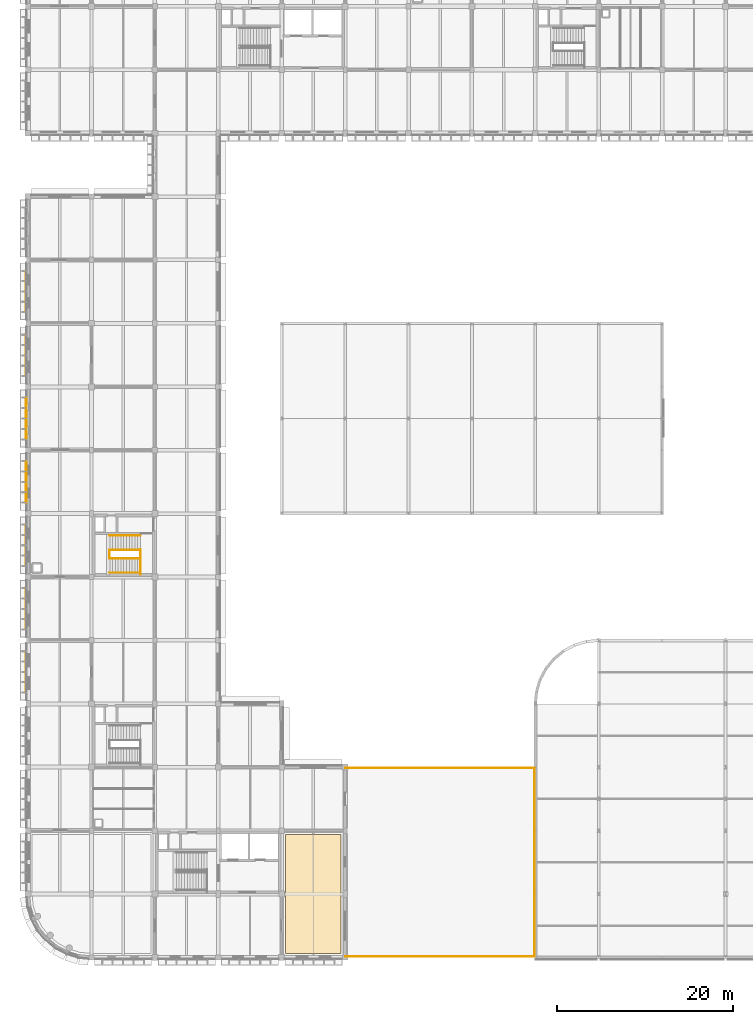
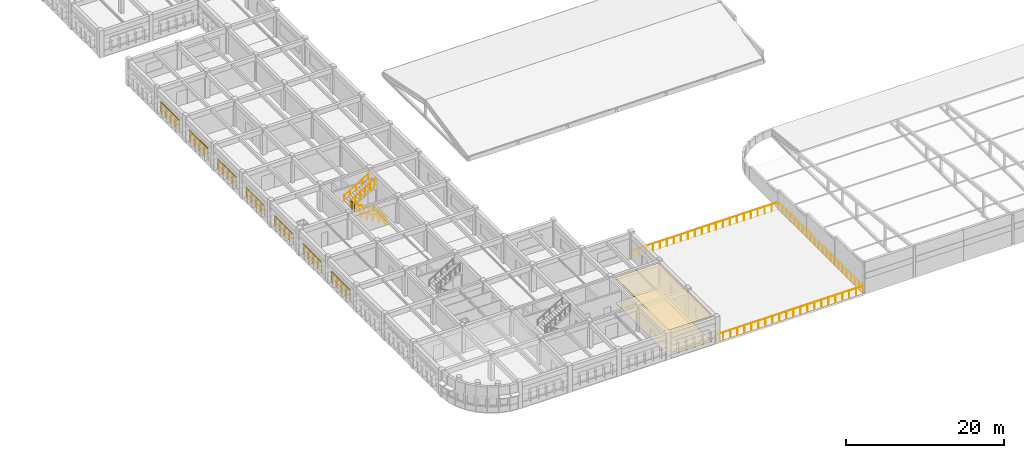
# One storey, part 98 of 103: 15 railings, 7 shading devices, 2 coverings.
"""IFC4 building model written with IfcOpenShell, lengths in metres."""

from ifc_helpers import new_model, si_unit, direction, frame, origin, origin_2d, place, context, subcontext, project, spatial, polyline, rectangle, circle, outline, extrude, material, layer, layer_set, type_object, element, save


model = new_model("IFC4")

# Units and contexts
model_context = context("Model", 3, precision=1e-05, world=origin(), true_north=direction((0.0, 1.0)))
body_context = subcontext(model_context, "Body", "Model", "MODEL_VIEW")
ifc_project = project(units=[si_unit("LENGTHUNIT", "METRE"), si_unit("AREAUNIT", "SQUARE_METRE"), si_unit("VOLUMEUNIT", "CUBIC_METRE"), si_unit("PLANEANGLEUNIT", "RADIAN"), si_unit("MASSUNIT", "GRAM", prefix="KILO")], contexts=[model_context])

# Site, building, storey
site_placement = place(None, origin())
site = spatial("IfcSite", under=ifc_project, at=site_placement, CompositionType="ELEMENT")
building_placement = place(site_placement, origin())
building = spatial("IfcBuilding", under=site, at=building_placement, Name="Thalmaran Polytechnic", CompositionType="ELEMENT")
storey_placement = place(building_placement, frame((0.0, 0.0, 14.39990234375)))
storey = spatial("IfcBuildingStorey", under=building, at=storey_placement, Name="L03", CompositionType="ELEMENT", Elevation=14.39990234375)

# Coverings
ifc_material_1 = material(Name="Acoustic mineral fibre ceiling")
ifc_layer_1 = layer(ifc_material_1, 0.02490234375, Name="Acoustic mineral fibre ceiling")
ifc_layer_set_1 = layer_set([ifc_layer_1], Name="Acoustic mineral fibre ceiling")
covering_type_1 = type_object("IfcCoveringType", Name="CV-CL01", PredefinedType="CEILING", material=ifc_layer_set_1)
covering_1_placement = place(storey_placement, frame((0.0, 0.0, 3.9150390625)))
element("IfcCovering", 1, at=covering_1_placement, inside=storey, type_object=covering_type_1, Name="Thermodynamics Laboratory L03-02 Acoustic Ceiling", PredefinedType="CEILING", context=body_context, shape_type="SweptSolid", body=[
    extrude(outline(polyline([(35.550048828125, 0.449951171875), (29.25, 0.449951171875), (29.25, 13.949951171875), (35.550048828125, 13.949951171875), (35.550048828125, 0.449951171875)])), origin(), (0.0, 0.0, 1.0), 0.025146484375),
])
ifc_material_2 = material(Name="Polished terrazzo and epoxy lab flooring")
ifc_layer_2 = layer(ifc_material_2, 0.02001953125, Name="Polished terrazzo and epoxy lab flooring")
ifc_layer_set_2 = layer_set([ifc_layer_2], Name="Polished terrazzo and epoxy lab flooring")
covering_type_2 = type_object("IfcCoveringType", Name="CV-FL01", PredefinedType="FLOORING", material=ifc_layer_set_2)
covering_2_placement = place(storey_placement, origin())
element("IfcCovering", 2, at=covering_2_placement, inside=storey, type_object=covering_type_2, Name="Thermodynamics Laboratory L03-02 Specialist Finish Flooring", PredefinedType="FLOORING", context=body_context, shape_type="SweptSolid", body=[
    extrude(outline(polyline([(35.550048828125, 0.449951171875), (29.25, 0.449951171875), (29.25, 13.949951171875), (35.550048828125, 13.949951171875), (35.550048828125, 0.449951171875)])), origin(), (0.0, 0.0, 1.0), 0.02001953125),
])

# Railings
ifc_material_3 = material(Name="Stainless steel 316 and laminated glass", Category="steel")
railing_type_1 = type_object("IfcRailingType", Name="RL-BL01", PredefinedType="BALUSTRADE", material=ifc_material_3)
railing_1_placement = place(storey_placement, frame((36.010009765625, 21.5, 0.0)))
element("IfcRailing", 3, at=railing_1_placement, inside=storey, type_object=railing_type_1, Name="Terrace Balustrade Guard L03-1-1", PredefinedType="BALUSTRADE", context=body_context, shape_type="SweptSolid", body=[
    extrude(circle(Radius=0.02392578125, at=origin_2d()), frame((0.0, 0.0, 1.1259765625), z_axis=(1.0, 0.0, 0.0), x_axis=(0.0, 1.0, 0.0)), (0.0, 0.0, 1.0), 7.223388671875),
    extrude(circle(Radius=0.02099609375, at=origin_2d()), origin(), (0.0, 0.0, 1.0), 1.101806640625),
    extrude(circle(Radius=0.02099609375, at=origin_2d()), frame((1.031982421875, 0.0, 0.0)), (0.0, 0.0, 1.0), 1.101806640625),
    extrude(circle(Radius=0.02099609375, at=origin_2d()), frame((2.063720703125, 0.0, 0.0)), (0.0, 0.0, 1.0), 1.101806640625),
    extrude(circle(Radius=0.02099609375, at=origin_2d()), frame((3.095703125, 0.0, 0.0)), (0.0, 0.0, 1.0), 1.101806640625),
    extrude(circle(Radius=0.02099609375, at=origin_2d()), frame((4.127685546875, 0.0, 0.0)), (0.0, 0.0, 1.0), 1.101806640625),
    extrude(circle(Radius=0.02099609375, at=origin_2d()), frame((5.15966796875, 0.0, 0.0)), (0.0, 0.0, 1.0), 1.101806640625),
    extrude(circle(Radius=0.02099609375, at=origin_2d()), frame((6.19140625, 0.0, 0.0)), (0.0, 0.0, 1.0), 1.101806640625),
    extrude(circle(Radius=0.02099609375, at=origin_2d()), frame((7.223388671875, 0.0, 0.0)), (0.0, 0.0, 1.0), 1.101806640625),
])
for number, where, name in (
    (4, (43.2333984375, 21.5, 0.0), "Terrace Balustrade Guard L03-1-2"),
    (5, (50.36669921875, 21.5, 0.0), "Terrace Balustrade Guard L03-1-3"),
):
    element("IfcRailing", number, at=place(storey_placement, frame(where)), inside=storey, type_object=railing_type_1, Name=name, PredefinedType="BALUSTRADE", context=body_context, shape_type="SweptSolid", body=[
        extrude(circle(Radius=0.02392578125, at=origin_2d()), frame((0.0, 0.0, 1.1259765625), z_axis=(1.0, 0.0, 0.0), x_axis=(0.0, 1.0, 0.0)), (0.0, 0.0, 1.0), 7.13330078125),
        extrude(circle(Radius=0.02099609375, at=origin_2d()), origin(), (0.0, 0.0, 1.0), 1.101806640625),
        extrude(circle(Radius=0.02099609375, at=origin_2d()), frame((1.01904296875, 0.0, 0.0)), (0.0, 0.0, 1.0), 1.101806640625),
        extrude(circle(Radius=0.02099609375, at=origin_2d()), frame((2.0380859375, 0.0, 0.0)), (0.0, 0.0, 1.0), 1.101806640625),
        extrude(circle(Radius=0.02099609375, at=origin_2d()), frame((3.05712890625, 0.0, 0.0)), (0.0, 0.0, 1.0), 1.101806640625),
        extrude(circle(Radius=0.02099609375, at=origin_2d()), frame((4.076171875, 0.0, 0.0)), (0.0, 0.0, 1.0), 1.101806640625),
        extrude(circle(Radius=0.02099609375, at=origin_2d()), frame((5.09521484375, 0.0, 0.0)), (0.0, 0.0, 1.0), 1.101806640625),
        extrude(circle(Radius=0.02099609375, at=origin_2d()), frame((6.1142578125, 0.0, 0.0)), (0.0, 0.0, 1.0), 1.101806640625),
        extrude(circle(Radius=0.02099609375, at=origin_2d()), frame((7.13330078125, 0.0, 0.0)), (0.0, 0.0, 1.0), 1.101806640625),
    ])
for number, where, name in (
    (6, (57.5, 21.5, 0.0), "Terrace Balustrade Guard L03-1-4"),
    (7, (57.5, 14.36669921875, 0.0), "Terrace Balustrade Guard L03-1-5"),
    (8, (57.5, 7.2333984375, 0.0), "Terrace Balustrade Guard L03-1-6"),
):
    element("IfcRailing", number, at=place(storey_placement, frame(where)), inside=storey, type_object=railing_type_1, Name=name, PredefinedType="BALUSTRADE", context=body_context, shape_type="SweptSolid", body=[
        extrude(circle(Radius=0.02392578125, at=origin_2d()), frame((0.0, 0.0, 1.1259765625), z_axis=(0.0, -1.0, 0.0), x_axis=(1.0, 0.0, 0.0)), (0.0, 0.0, 1.0), 7.13330078125),
        extrude(circle(Radius=0.02099609375, at=origin_2d()), origin(), (0.0, 0.0, 1.0), 1.101806640625),
        extrude(circle(Radius=0.02099609375, at=origin_2d()), frame((0.0, -1.01904296875, 0.0)), (0.0, 0.0, 1.0), 1.101806640625),
        extrude(circle(Radius=0.02099609375, at=origin_2d()), frame((0.0, -2.0380859375, 0.0)), (0.0, 0.0, 1.0), 1.101806640625),
        extrude(circle(Radius=0.02099609375, at=origin_2d()), frame((0.0, -3.05712890625, 0.0)), (0.0, 0.0, 1.0), 1.101806640625),
        extrude(circle(Radius=0.02099609375, at=origin_2d()), frame((0.0, -4.076171875, 0.0)), (0.0, 0.0, 1.0), 1.101806640625),
        extrude(circle(Radius=0.02099609375, at=origin_2d()), frame((0.0, -5.09521484375, 0.0)), (0.0, 0.0, 1.0), 1.101806640625),
        extrude(circle(Radius=0.02099609375, at=origin_2d()), frame((0.0, -6.1142578125, 0.0)), (0.0, 0.0, 1.0), 1.101806640625),
        extrude(circle(Radius=0.02099609375, at=origin_2d()), frame((0.0, -7.13330078125, 0.0)), (0.0, 0.0, 1.0), 1.101806640625),
    ])
for number, where, name in (
    (9, (57.5, 0.10009765625, 0.0), "Terrace Balustrade Guard L03-1-7"),
    (10, (50.36669921875, 0.10009765625, 0.0), "Terrace Balustrade Guard L03-1-8"),
):
    element("IfcRailing", number, at=place(storey_placement, frame(where)), inside=storey, type_object=railing_type_1, Name=name, PredefinedType="BALUSTRADE", context=body_context, shape_type="SweptSolid", body=[
        extrude(circle(Radius=0.02392578125, at=origin_2d()), frame((0.0, 0.0, 1.1259765625), z_axis=(-1.0, 0.0, 0.0), x_axis=(0.0, -1.0, 0.0)), (0.0, 0.0, 1.0), 7.13330078125),
        extrude(circle(Radius=0.02099609375, at=origin_2d()), origin(), (0.0, 0.0, 1.0), 1.101806640625),
        extrude(circle(Radius=0.02099609375, at=origin_2d()), frame((-1.01904296875, 0.0, 0.0)), (0.0, 0.0, 1.0), 1.101806640625),
        extrude(circle(Radius=0.02099609375, at=origin_2d()), frame((-2.0380859375, 0.0, 0.0)), (0.0, 0.0, 1.0), 1.101806640625),
        extrude(circle(Radius=0.02099609375, at=origin_2d()), frame((-3.05712890625, 0.0, 0.0)), (0.0, 0.0, 1.0), 1.101806640625),
        extrude(circle(Radius=0.02099609375, at=origin_2d()), frame((-4.076171875, 0.0, 0.0)), (0.0, 0.0, 1.0), 1.101806640625),
        extrude(circle(Radius=0.02099609375, at=origin_2d()), frame((-5.09521484375, 0.0, 0.0)), (0.0, 0.0, 1.0), 1.101806640625),
        extrude(circle(Radius=0.02099609375, at=origin_2d()), frame((-6.1142578125, 0.0, 0.0)), (0.0, 0.0, 1.0), 1.101806640625),
        extrude(circle(Radius=0.02099609375, at=origin_2d()), frame((-7.13330078125, 0.0, 0.0)), (0.0, 0.0, 1.0), 1.101806640625),
    ])
railing_2_placement = place(storey_placement, frame((43.2333984375, 0.10009765625, 0.0)))
element("IfcRailing", 11, at=railing_2_placement, inside=storey, type_object=railing_type_1, Name="Terrace Balustrade Guard L03-1-9", PredefinedType="BALUSTRADE", context=body_context, shape_type="SweptSolid", body=[
    extrude(circle(Radius=0.02392578125, at=origin_2d()), frame((0.0, 0.0, 1.1259765625), z_axis=(-1.0, 0.0, 0.0), x_axis=(0.0, -1.0, 0.0)), (0.0, 0.0, 1.0), 7.223388671875),
    extrude(circle(Radius=0.02099609375, at=origin_2d()), origin(), (0.0, 0.0, 1.0), 1.101806640625),
    extrude(circle(Radius=0.02099609375, at=origin_2d()), frame((-1.031982421875, 0.0, 0.0)), (0.0, 0.0, 1.0), 1.101806640625),
    extrude(circle(Radius=0.02099609375, at=origin_2d()), frame((-2.063720703125, 0.0, 0.0)), (0.0, 0.0, 1.0), 1.101806640625),
    extrude(circle(Radius=0.02099609375, at=origin_2d()), frame((-3.095703125, 0.0, 0.0)), (0.0, 0.0, 1.0), 1.101806640625),
    extrude(circle(Radius=0.02099609375, at=origin_2d()), frame((-4.127685546875, 0.0, 0.0)), (0.0, 0.0, 1.0), 1.101806640625),
    extrude(circle(Radius=0.02099609375, at=origin_2d()), frame((-5.15966796875, 0.0, 0.0)), (0.0, 0.0, 1.0), 1.101806640625),
    extrude(circle(Radius=0.02099609375, at=origin_2d()), frame((-6.19140625, 0.0, 0.0)), (0.0, 0.0, 1.0), 1.101806640625),
    extrude(circle(Radius=0.02099609375, at=origin_2d()), frame((-7.223388671875, 0.0, 0.0)), (0.0, 0.0, 1.0), 1.101806640625),
])
ifc_material_4 = material(Name="Stainless steel 316", Category="steel")
railing_type_2 = type_object("IfcRailingType", Name="RL-GR01", PredefinedType="GUARDRAIL", material=ifc_material_4)
railing_3_placement = place(storey_placement, frame((12.77001953125, 43.449951171875, 0.0)))
element("IfcRailing", 12, at=railing_3_placement, inside=storey, type_object=railing_type_2, Name="ST4 L03 Landing Edge Guardrail", PredefinedType="GUARDRAIL", context=body_context, shape_type="SweptSolid", body=[
    extrude(circle(Radius=0.02392578125, at=origin_2d()), frame((0.0, 0.0, 1.1259765625), z_axis=(0.0, 1.0, 0.0), x_axis=(-1.0, 0.0, 0.0)), (0.0, 0.0, 1.0), 2.8701171875),
    extrude(circle(Radius=0.02099609375, at=origin_2d()), origin(), (0.0, 0.0, 1.0), 1.101806640625),
    extrude(circle(Radius=0.02099609375, at=origin_2d()), frame((0.0, 0.717529296875, 0.0)), (0.0, 0.0, 1.0), 1.101806640625),
    extrude(circle(Radius=0.02099609375, at=origin_2d()), frame((0.0, 1.43505859375, 0.0)), (0.0, 0.0, 1.0), 1.101806640625),
    extrude(circle(Radius=0.02099609375, at=origin_2d()), frame((0.0, 2.152587890625, 0.0)), (0.0, 0.0, 1.0), 1.101806640625),
    extrude(circle(Radius=0.02099609375, at=origin_2d()), frame((0.0, 2.8701171875, 0.0)), (0.0, 0.0, 1.0), 1.101806640625),
])
railing_4_placement = place(storey_placement, frame((12.760009765625, 45.320068359375, 0.0)))
element("IfcRailing", 13, at=railing_4_placement, inside=storey, type_object=railing_type_2, Name="ST4 L03 Lower Flight Guardrail", PredefinedType="GUARDRAIL", context=body_context, shape_type="SweptSolid", body=[
    extrude(circle(Radius=0.02392578125, at=origin_2d()), frame((0.0, 0.0, 1.1259765625), z_axis=(-0.857482370257, 0.0, 0.514513347444), x_axis=(0.0, -1.0, 0.0)), (0.0, 0.0, 1.0), 4.081787109375),
    extrude(circle(Radius=0.02099609375, at=origin_2d()), origin(), (0.0, 0.0, 1.0), 1.101806640625),
    extrude(circle(Radius=0.02099609375, at=origin_2d()), frame((-0.699951171875, 0.0, 0.419921875)), (0.0, 0.0, 1.0), 1.101806640625),
    extrude(circle(Radius=0.02099609375, at=origin_2d()), frame((-1.39990234375, 0.0, 0.840087890625)), (0.0, 0.0, 1.0), 1.101806640625),
    extrude(circle(Radius=0.02099609375, at=origin_2d()), frame((-2.10009765625, 0.0, 1.260009765625)), (0.0, 0.0, 1.0), 1.101806640625),
    extrude(circle(Radius=0.02099609375, at=origin_2d()), frame((-2.800048828125, 0.0, 1.68017578125)), (0.0, 0.0, 1.0), 1.101806640625),
    extrude(circle(Radius=0.02099609375, at=origin_2d()), frame((-3.5, 0.0, 2.10009765625)), (0.0, 0.0, 1.0), 1.101806640625),
])
railing_5_placement = place(storey_placement, frame((9.219970703125, 45.300048828125, 2.10009765625)))
element("IfcRailing", 14, at=railing_5_placement, inside=storey, type_object=railing_type_2, Name="ST4 L03 Half-Landing Well Guardrail", PredefinedType="GUARDRAIL", context=body_context, shape_type="SweptSolid", body=[
    extrude(circle(Radius=0.02392578125, at=origin_2d()), frame((0.0, 0.0, 1.1259765625), z_axis=(0.0, 1.0, 0.0), x_axis=(-1.0, 0.0, 0.0)), (0.0, 0.0, 1.0), 0.97998046875),
    extrude(circle(Radius=0.02099609375, at=origin_2d()), origin(), (0.0, 0.0, 1.0), 1.101806640625),
    extrude(circle(Radius=0.02099609375, at=origin_2d()), frame((0.0, 0.32666015625, 0.0)), (0.0, 0.0, 1.0), 1.101806640625),
    extrude(circle(Radius=0.02099609375, at=origin_2d()), frame((0.0, 0.6533203125, 0.0)), (0.0, 0.0, 1.0), 1.101806640625),
    extrude(circle(Radius=0.02099609375, at=origin_2d()), frame((0.0, 0.97998046875, 0.0)), (0.0, 0.0, 1.0), 1.101806640625),
])
railing_6_placement = place(storey_placement, frame((9.260009765625, 46.260009765625, 2.10009765625)))
element("IfcRailing", 15, at=railing_6_placement, inside=storey, type_object=railing_type_2, Name="ST4 L03 Upper Flight Guardrail", PredefinedType="GUARDRAIL", context=body_context, shape_type="SweptSolid", body=[
    extrude(circle(Radius=0.02392578125, at=origin_2d()), frame((0.0, 0.0, 1.1259765625), z_axis=(0.857482370257, 0.0, 0.514513347444), x_axis=(0.0, 1.0, 0.0)), (0.0, 0.0, 1.0), 4.081787109375),
    extrude(circle(Radius=0.02099609375, at=origin_2d()), origin(), (0.0, 0.0, 1.0), 1.101806640625),
    extrude(circle(Radius=0.02099609375, at=origin_2d()), frame((0.699951171875, 0.0, 0.419921875)), (0.0, 0.0, 1.0), 1.101806640625),
    extrude(circle(Radius=0.02099609375, at=origin_2d()), frame((1.39990234375, 0.0, 0.840087890625)), (0.0, 0.0, 1.0), 1.101806640625),
    extrude(circle(Radius=0.02099609375, at=origin_2d()), frame((2.10009765625, 0.0, 1.260009765625)), (0.0, 0.0, 1.0), 1.101806640625),
    extrude(circle(Radius=0.02099609375, at=origin_2d()), frame((2.800048828125, 0.0, 1.68017578125)), (0.0, 0.0, 1.0), 1.101806640625),
    extrude(circle(Radius=0.02099609375, at=origin_2d()), frame((3.5, 0.0, 2.10009765625)), (0.0, 0.0, 1.0), 1.101806640625),
])
railing_type_3 = type_object("IfcRailingType", Name="RL-HR01", PredefinedType="HANDRAIL", material=ifc_material_4)
railing_7_placement = place(storey_placement, frame((12.760009765625, 43.679931640625, 0.0)))
element("IfcRailing", 16, at=railing_7_placement, inside=storey, type_object=railing_type_3, Name="ST4 L03 Flight 1 Handrail", PredefinedType="HANDRAIL", context=body_context, shape_type="SweptSolid", body=[
    extrude(circle(Radius=0.02392578125, at=origin_2d()), frame((0.0, 0.0, 0.8759765625), z_axis=(-0.857482370257, 0.0, 0.514513347444), x_axis=(0.0, -1.0, 0.0)), (0.0, 0.0, 1.0), 4.081787109375),
    extrude(circle(Radius=0.02099609375, at=origin_2d()), origin(), (0.0, 0.0, 1.0), 0.851806640625),
    extrude(circle(Radius=0.02099609375, at=origin_2d()), frame((-0.875, 0.0, 0.52490234375)), (0.0, 0.0, 1.0), 0.851806640625),
    extrude(circle(Radius=0.02099609375, at=origin_2d()), frame((-1.75, 0.0, 1.050048828125)), (0.0, 0.0, 1.0), 0.851806640625),
    extrude(circle(Radius=0.02099609375, at=origin_2d()), frame((-2.625, 0.0, 1.5751953125)), (0.0, 0.0, 1.0), 0.851806640625),
    extrude(circle(Radius=0.02099609375, at=origin_2d()), frame((-3.5, 0.0, 2.10009765625)), (0.0, 0.0, 1.0), 0.851806640625),
])
railing_8_placement = place(storey_placement, frame((9.260009765625, 47.919921875, 2.10009765625)))
element("IfcRailing", 17, at=railing_8_placement, inside=storey, type_object=railing_type_3, Name="ST4 L03 Flight 2 Handrail", PredefinedType="HANDRAIL", context=body_context, shape_type="SweptSolid", body=[
    extrude(circle(Radius=0.02392578125, at=origin_2d()), frame((0.0, 0.0, 0.8759765625), z_axis=(0.857482370257, 0.0, 0.514513347444), x_axis=(0.0, 1.0, 0.0)), (0.0, 0.0, 1.0), 4.081787109375),
    extrude(circle(Radius=0.02099609375, at=origin_2d()), origin(), (0.0, 0.0, 1.0), 0.851806640625),
    extrude(circle(Radius=0.02099609375, at=origin_2d()), frame((0.875, 0.0, 0.52490234375)), (0.0, 0.0, 1.0), 0.851806640625),
    extrude(circle(Radius=0.02099609375, at=origin_2d()), frame((1.75, 0.0, 1.050048828125)), (0.0, 0.0, 1.0), 0.851806640625),
    extrude(circle(Radius=0.02099609375, at=origin_2d()), frame((2.625, 0.0, 1.5751953125)), (0.0, 0.0, 1.0), 0.851806640625),
    extrude(circle(Radius=0.02099609375, at=origin_2d()), frame((3.5, 0.0, 2.10009765625)), (0.0, 0.0, 1.0), 0.851806640625),
])

# Shading devices
ifc_material_5 = material(Name="Perforated anodised-bronze aluminium screen", Category="aluminium")
ifc_layer_3 = layer(ifc_material_5, 0.080078125, Name="Perforated anodised-bronze aluminium screen")
ifc_layer_set_3 = layer_set([ifc_layer_3], Name="Perforated anodised-bronze aluminium screen")
shading_device_type = type_object("IfcShadingDeviceType", Name="SH-JL01", PredefinedType="JALOUSIE", material=ifc_layer_set_3)
shading_device_1_placement = place(storey_placement, frame((-0.219970703125, 32.39990234375, 1.02490234375), z_axis=(0.0, 0.0, 1.0), x_axis=(0.0, 1.0, 0.0)))
element("IfcShadingDevice", 18, at=shading_device_1_placement, inside=storey, type_object=shading_device_type, Name="Anodised-Bronze Mashrabiya Solar Screen L03-033", PredefinedType="JALOUSIE", context=body_context, shape_type="SweptSolid", body=[
    extrude(rectangle(XDim=4.68359375, YDim=0.080078125, at=origin_2d()), origin(), (0.0, 0.0, 1.0), 1.550048828125),
])
shading_device_2_placement = place(storey_placement, frame((-0.219970703125, 39.60009765625, 1.025146484375), z_axis=(0.0, 0.0, 1.0), x_axis=(0.0, 1.0, 0.0)))
element("IfcShadingDevice", 19, at=shading_device_2_placement, inside=storey, type_object=shading_device_type, Name="Anodised-Bronze Mashrabiya Solar Screen L03-034", PredefinedType="JALOUSIE", context=body_context, shape_type="SweptSolid", body=[
    extrude(rectangle(XDim=4.708740234375, YDim=0.080078125, at=origin_2d()), origin(), (0.0, 0.0, 1.0), 1.5),
])
shading_device_3_placement = place(storey_placement, frame((-0.219970703125, 46.800048828125, 1.02490234375), z_axis=(0.0, 0.0, 1.0), x_axis=(0.0, 1.0, 0.0)))
element("IfcShadingDevice", 20, at=shading_device_3_placement, inside=storey, type_object=shading_device_type, Name="Anodised-Bronze Mashrabiya Solar Screen L03-035", PredefinedType="JALOUSIE", context=body_context, shape_type="SweptSolid", body=[
    extrude(rectangle(XDim=4.705078125, YDim=0.080078125, at=origin_2d()), origin(), (0.0, 0.0, 1.0), 1.449951171875),
])
shading_device_4_placement = place(storey_placement, frame((-0.219970703125, 54.0, 1.02490234375), z_axis=(0.0, 0.0, 1.0), x_axis=(0.0, 1.0, 0.0)))
element("IfcShadingDevice", 21, at=shading_device_4_placement, inside=storey, type_object=shading_device_type, Name="Anodised-Bronze Mashrabiya Solar Screen L03-036", PredefinedType="JALOUSIE", context=body_context, shape_type="SweptSolid", body=[
    extrude(rectangle(XDim=4.726806640625, YDim=0.080078125, at=origin_2d()), origin(), (0.0, 0.0, 1.0), 1.449951171875),
])
shading_device_5_placement = place(storey_placement, frame((-0.219970703125, 61.199951171875, 1.025146484375), z_axis=(0.0, 0.0, 1.0), x_axis=(0.0, 1.0, 0.0)))
element("IfcShadingDevice", 22, at=shading_device_5_placement, inside=storey, type_object=shading_device_type, Name="Anodised-Bronze Mashrabiya Solar Screen L03-037", PredefinedType="JALOUSIE", context=body_context, shape_type="SweptSolid", body=[
    extrude(rectangle(XDim=4.744873046875, YDim=0.080078125, at=origin_2d()), origin(), (0.0, 0.0, 1.0), 1.5),
])
shading_device_6_placement = place(storey_placement, frame((-0.219970703125, 68.39990234375, 1.025146484375), z_axis=(0.0, 0.0, 1.0), x_axis=(0.0, 1.0, 0.0)))
element("IfcShadingDevice", 23, at=shading_device_6_placement, inside=storey, type_object=shading_device_type, Name="Anodised-Bronze Mashrabiya Solar Screen L03-038", PredefinedType="JALOUSIE", context=body_context, shape_type="SweptSolid", body=[
    extrude(rectangle(XDim=4.697998046875, YDim=0.080078125, at=origin_2d()), origin(), (0.0, 0.0, 1.0), 1.60009765625),
])
shading_device_7_placement = place(storey_placement, frame((-0.219970703125, 75.60009765625, 1.025146484375), z_axis=(0.0, 0.0, 1.0), x_axis=(0.0, 1.0, 0.0)))
element("IfcShadingDevice", 24, at=shading_device_7_placement, inside=storey, type_object=shading_device_type, Name="Anodised-Bronze Mashrabiya Solar Screen L03-039", PredefinedType="JALOUSIE", context=body_context, shape_type="SweptSolid", body=[
    extrude(rectangle(XDim=4.68359375, YDim=0.080078125, at=origin_2d()), origin(), (0.0, 0.0, 1.0), 1.60009765625),
])

save(model, "model.ifc")
